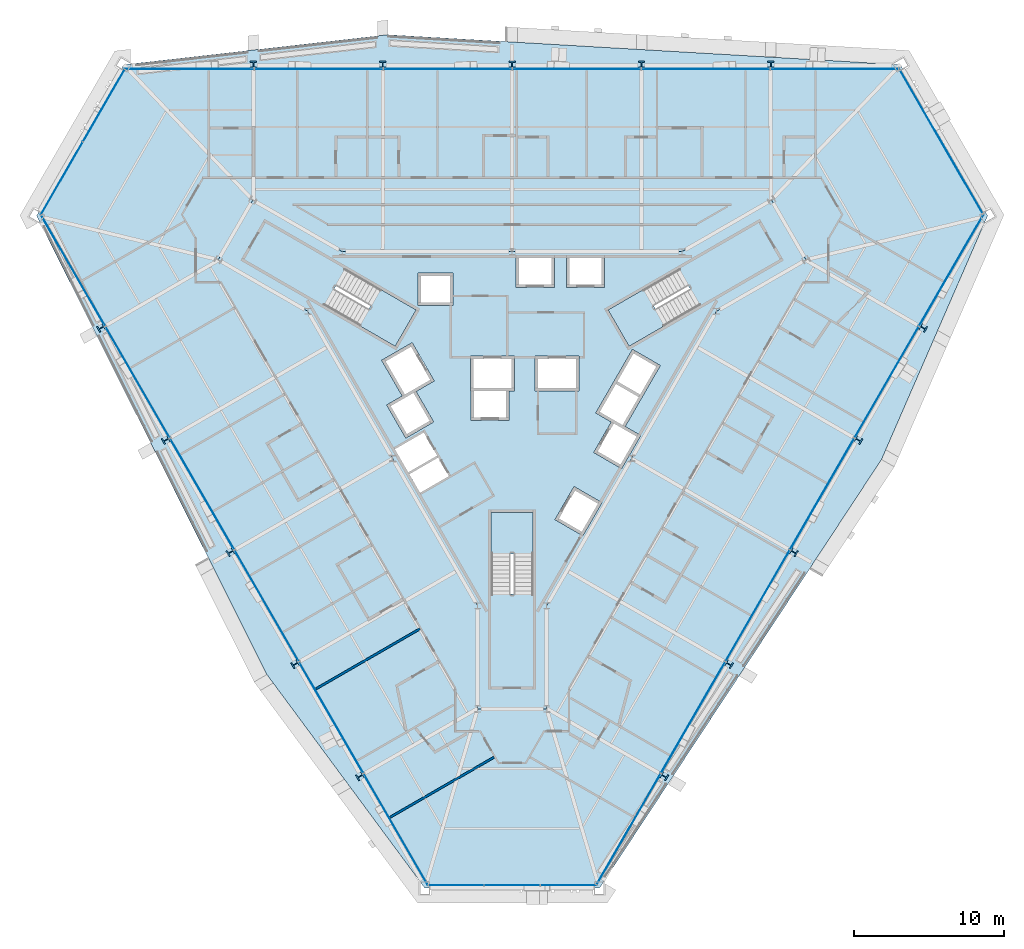
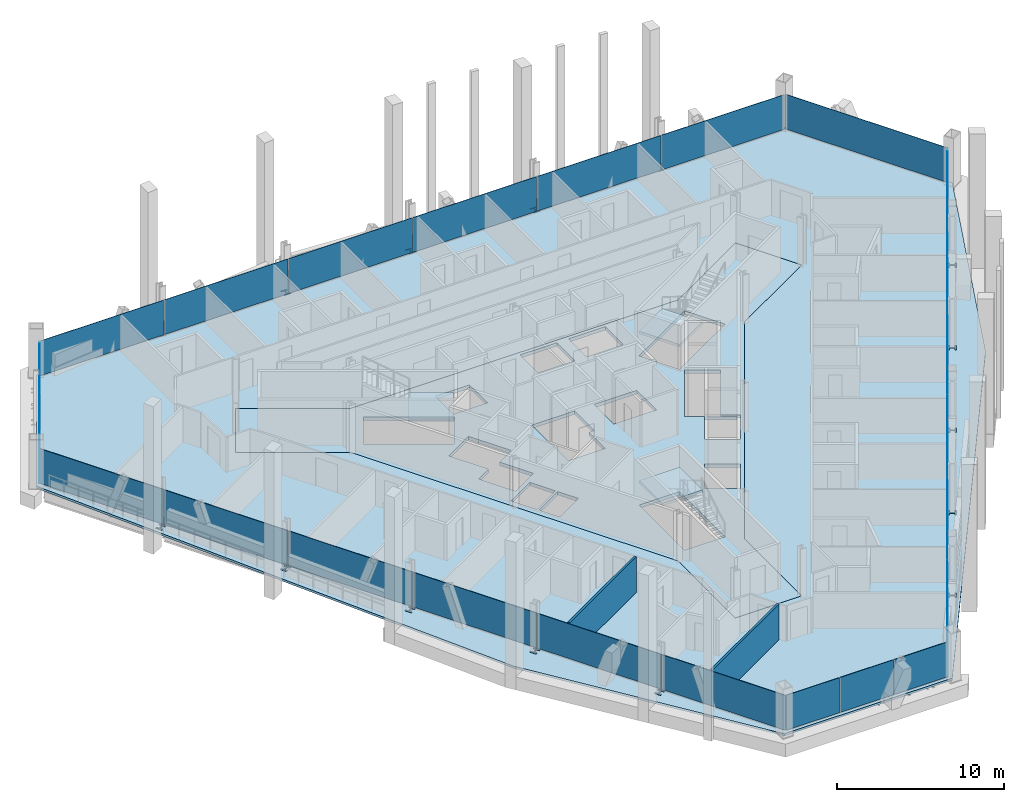
# One storey, part 10 of 19: 24 plates, 15 members, 5 slabs, 2 walls, 9 elements without a shape of their own.
"""IFC4 building model written with IfcOpenShell, lengths in metres."""

from ifc_helpers import new_model, si_unit, direction, frame, frame_2d, origin, origin_2d, place, context, subcontext, project, spatial, polyline, rectangle, i_section, outline, extrude, material, layer, layer_set, material_profile, profile_set, type_object, element, aggregate, save


model = new_model("IFC4")

# Units and contexts
model_context = context("Model", 3, precision=1e-05, world=origin(), true_north=direction((0.0, 1.0)))
body_context = subcontext(model_context, "Body", "Model", "MODEL_VIEW")
ifc_project = project(units=[si_unit("LENGTHUNIT", "METRE"), si_unit("AREAUNIT", "SQUARE_METRE"), si_unit("VOLUMEUNIT", "CUBIC_METRE"), si_unit("PLANEANGLEUNIT", "RADIAN"), si_unit("MASSUNIT", "GRAM", prefix="KILO")], contexts=[model_context])

# Site, building, storey
site_placement = place(None, origin())
site = spatial("IfcSite", under=ifc_project, at=site_placement, CompositionType="ELEMENT")
building_placement = place(site_placement, origin())
building = spatial("IfcBuilding", under=site, at=building_placement, Name="Verrane Prism Tower", CompositionType="ELEMENT")
storey_placement = place(building_placement, frame((0.0, 0.0, 76.39990234375)))
storey = spatial("IfcBuildingStorey", under=building, at=storey_placement, Name="L17", CompositionType="ELEMENT", Elevation=76.39990234375)

# Members
ifc_material_1 = material(Name="Steel A992", Category="steel")
ifc_material_profile = material_profile(ifc_material_1, i_section(OverallWidth=0.431884765625, OverallDepth=0.497802734375, WebThickness=0.0556640625, FlangeThickness=0.0888671875, FilletRadius=0.01513671875, at=origin_2d()), Name="W14x500")
ifc_profile_set = profile_set([ifc_material_profile], Name="Steel A992")
member_type = type_object("IfcMemberType", Name="Kink node W14x500", PredefinedType="COLLAR", material=ifc_profile_set)
for number, where, z_axis, x_axis, name in (
    (1, (17.259521484375, 21.6689453125, -0.02490234375), (0.0, 0.0, 1.0), (1.0, 0.0, 0.0), "Kink node PC3 L17"),
    (2, (8.6298828125, 21.6689453125, -0.02490234375), (0.0, 0.0, 1.0), (1.0, 0.0, 0.0), "Kink node PC3 L17"),
    (3, (0.0, 21.6689453125, -0.02490234375), (0.0, 0.0, 1.0), (1.0, 0.0, 0.0), "Kink node PC3 L17"),
    (4, (-8.6298828125, 21.6689453125, -0.02490234375), (0.0, 0.0, 1.0), (1.0, 0.0, 0.0), "Kink node PC3 L17"),
    (5, (-17.259521484375, 21.6689453125, -0.02490234375), (0.0, 0.0, 1.0), (1.0, 0.0, 0.0), "Kink node PC3 L17"),
    (6, (10.12939453125, -25.7890625, -0.02490234375), (0.0, 0.0, 1.0), (-0.5, -0.866025403784, 0.0), "Kink node PC3 L17"),
    (7, (14.44921875, -18.309326171875, -0.02490234375), (0.0, 0.0, 1.0), (-0.5, -0.866025403784, 0.0), "Kink node PC3 L17"),
    (8, (18.76904296875, -10.839599609375, -0.02490234375), (0.0, 0.0, 1.0), (-0.5, -0.866025403784, 0.0), "Kink node PC3 L17"),
    (9, (23.0791015625, -3.359619140625, -0.02490234375), (0.0, 0.0, 1.0), (-0.5, -0.866025403784, 0.0), "Kink node PC3 L17"),
    (10, (27.39892578125, 4.1201171875, -0.02490234375), (0.0, 0.0, 1.0), (-0.5, -0.866025403784, 0.0), "Kink node PC3 L17"),
    (11, (-27.39892578125, 4.1201171875, -0.02490234375), (0.0, 0.0, 1.0), (-0.5, 0.866025403784, 0.0), "Kink node PC3 L17"),
    (12, (-23.0791015625, -3.359619140625, -0.02490234375), (0.0, 0.0, 1.0), (-0.5, 0.866025403784, 0.0), "Kink node PC3 L17"),
    (13, (-18.76904296875, -10.839599609375, -0.02490234375), (0.0, 0.0, 1.0), (-0.5, 0.866025403784, 0.0), "Kink node PC3 L17"),
    (14, (-14.44921875, -18.309326171875, -0.02490234375), (0.0, 0.0, 1.0), (-0.5, 0.866025403784, 0.0), "Kink node PC3 L17"),
    (15, (-10.12939453125, -25.7890625, -0.02490234375), (0.0, 0.0, 1.0), (-0.5, 0.866025403784, 0.0), "Kink node PC3 L17"),
):
    element("IfcMember", number, at=place(storey_placement, frame(where, z_axis=z_axis, x_axis=x_axis)), inside=storey, type_object=member_type, Name=name, PredefinedType="COLLAR", context=body_context, shape_type="SweptSolid", body=[
        extrude(i_section(OverallWidth=0.431884765625, OverallDepth=0.497802734375, WebThickness=0.0556640625, FlangeThickness=0.0888671875, FilletRadius=0.01513671875, at=origin_2d()), origin(), (0.0, 0.0, 1.0), 0.050048828125),
    ])

# Slabs
ifc_material_2 = material(Name="Concrete C35/45", Category="concrete")
ifc_layer_1 = layer(ifc_material_2, 0.159912109375)
ifc_layer_set_1 = layer_set([ifc_layer_1], Name="Composite floor slab")
slab_type_1 = type_object("IfcSlabType", Name="Composite floor slab", PredefinedType="FLOOR", material=ifc_layer_set_1)
slab_1_placement = place(storey_placement, frame((0.0, 0.0, -0.159912109375)))
element("IfcSlab", 16, at=slab_1_placement, inside=storey, type_object=slab_type_1, Name="Floor slab L17", PredefinedType="FLOOR", context=body_context, shape_type="SweptSolid", body=[
    extrude(outline(polyline([(24.64208984375, -4.65869140625), (5.819091796875, -33.26123046875), (-5.819091796875, -33.26123046875), (-16.35546875, -19.011474609375), (-31.714599609375, 11.59130859375), (-25.8955078125, 21.669921875), (-8.28662109375, 23.669921875), (25.8955078125, 21.669921875), (31.714599609375, 11.59130859375), (24.64208984375, -4.65869140625)]), holes=[polyline([(19.60009765625, 8.659912109375), (17.300048828125, 12.639892578125), (11.330078125, 9.199951171875), (0.0, 9.199951171875), (-11.330078125, 9.199951171875), (-17.300048828125, 12.639892578125), (-19.60009765625, 8.659912109375), (-13.6298828125, 5.219970703125), (-7.969970703125, -4.60009765625), (-2.300048828125, -14.419921875), (-2.300048828125, -21.300048828125), (2.300048828125, -21.300048828125), (2.300048828125, -14.419921875), (7.969970703125, -4.60009765625), (13.6298828125, 5.219970703125), (19.60009765625, 8.659912109375)])]), origin(), (0.0, 0.0, 1.0), 0.159912109375),
])
ifc_material_3 = material(Name="Concrete C40/50", Category="concrete")
ifc_layer_2 = layer(ifc_material_3, 0.25)
ifc_layer_set_2 = layer_set([ifc_layer_2], Name="Core floor slab 250 concrete C40/50")
slab_type_2 = type_object("IfcSlabType", Name="Core floor slab 250 concrete C40/50", PredefinedType="FLOOR", material=ifc_layer_set_2)
slab_2_placement = place(storey_placement, frame((0.0, 0.0, -0.25)))
element("IfcSlab", 17, at=slab_2_placement, inside=storey, type_object=slab_type_2, Name="Core floor L17", PredefinedType="FLOOR", context=body_context, shape_type="SweptSolid", body=[
    extrude(outline(polyline([(13.6298828125, 5.219970703125), (19.60009765625, 8.659912109375), (17.300048828125, 12.639892578125), (11.330078125, 9.199951171875), (0.0, 9.199951171875), (-11.330078125, 9.199951171875), (-17.300048828125, 12.639892578125), (-19.60009765625, 8.659912109375), (-13.6298828125, 5.219970703125), (-7.969970703125, -4.60009765625), (-2.300048828125, -14.419921875), (-2.300048828125, -21.300048828125), (2.300048828125, -21.300048828125), (2.300048828125, -14.419921875), (7.969970703125, -4.60009765625), (13.6298828125, 5.219970703125)]), holes=[polyline([(1.39990234375, -8.199951171875), (1.39990234375, -13.639892578125), (-1.39990234375, -13.639892578125), (-1.39990234375, -8.199951171875), (1.39990234375, -8.199951171875)]), polyline([(-4.215087890625, -5.77099609375), (-6.14208984375, -6.883056640625), (-6.85400390625, -5.64599609375), (-4.928955078125, -4.533935546875), (-4.215087890625, -5.77099609375)]), polyline([(-5.0029296875, -4.404052734375), (-6.929931640625, -5.51708984375), (-7.819091796875, -3.97705078125), (-5.89306640625, -2.864013671875), (-5.0029296875, -4.404052734375)]), polyline([(0.1650390625, 2.25), (0.1650390625, -0.10009765625), (-0.205078125, -0.10009765625), (-0.205078125, -2.050048828125), (-2.7548828125, -2.050048828125), (-2.7548828125, -0.10009765625), (-2.784912109375, -0.10009765625), (-2.784912109375, 2.25), (0.1650390625, 2.25)]), polyline([(-12.512939453125, 5.60791015625), (-11.113037109375, 8.031982421875), (-6.40087890625, 5.31201171875), (-7.801025390625, 2.887939453125), (-12.512939453125, 5.60791015625)]), polyline([(-6.284912109375, 5.610107421875), (-6.284912109375, 7.760009765625), (-3.93505859375, 7.760009765625), (-3.93505859375, 5.610107421875), (-6.284912109375, 5.610107421875)]), polyline([(4.717041015625, -9.75), (2.85498046875, -8.675048828125), (4.1298828125, -6.466064453125), (5.991943359375, -7.541015625), (4.717041015625, -9.75)]), polyline([(8.303955078125, -3.136962890625), (5.575927734375, -1.56201171875), (8.02587890625, 2.680908203125), (9.887939453125, 1.60595703125), (7.5380859375, -2.464111328125), (8.576904296875, -3.06396484375), (7.302001953125, -5.27197265625), (5.43994140625, -4.197021484375), (6.614990234375, -2.162109375), (8.303955078125, -3.136962890625)]), polyline([(1.52490234375, -0.10009765625), (1.52490234375, 2.25), (4.47509765625, 2.25), (4.47509765625, -0.10009765625), (1.52490234375, -0.10009765625)]), polyline([(6.40087890625, 5.31201171875), (11.113037109375, 8.031982421875), (12.512939453125, 5.60791015625), (7.801025390625, 2.887939453125), (6.40087890625, 5.31201171875)]), polyline([(0.264892578125, 6.81005859375), (0.264892578125, 8.9599609375), (2.81494140625, 8.9599609375), (2.81494140625, 6.81005859375), (0.264892578125, 6.81005859375)]), polyline([(3.625, 6.81005859375), (3.625, 8.9599609375), (6.175048828125, 8.9599609375), (6.175048828125, 6.81005859375), (3.625, 6.81005859375)]), polyline([(-5.23095703125, -2.159912109375), (-7.093017578125, -3.235107421875), (-8.367919921875, -1.02587890625), (-7.3291015625, -0.426025390625), (-8.7041015625, 1.955078125), (-6.66796875, 3.1298828125), (-5.193115234375, 0.574951171875), (-6.406005859375, -0.125), (-5.23095703125, -2.159912109375)])]), origin(), (0.0, 0.0, 1.0), 0.25),
])

# Curtain wall, plates
ifc_material_4 = material(Name="Aluminium framed insulated glazing", Category="aluminium")
curtain_wall_type_1 = type_object("IfcCurtainWallType", Name="Curtain wall CW-C 4200 module", PredefinedType="NOTDEFINED", material=ifc_material_4)
curtain_wall_1_placement = place(storey_placement, origin())
curtain_wall_1 = element("IfcCurtainWall", 18, at=curtain_wall_1_placement, inside=storey, type_object=curtain_wall_type_1, Name="Glazed curtain wall south corner L17", PredefinedType="NOTDEFINED")
ifc_material_5 = material(Name="Low-iron insulating glass unit", Category="glass")
ifc_layer_3 = layer(ifc_material_5, 0.02392578125)
ifc_layer_set_3 = layer_set([ifc_layer_3], Name="Glazing panel IGU 24")
plate_type_1 = type_object("IfcPlateType", Name="Glazing panel IGU 24", PredefinedType="CURTAIN_PANEL", material=ifc_layer_set_3)
plate_1_placement = place(storey_placement, frame((-3.72998046875, -33.058349609375, 0.050048828125), z_axis=(0.0, 0.0, 1.0), x_axis=(1.0, 0.0, 0.0)))
plate_1 = element("IfcPlate", 19, at=plate_1_placement, type_object=plate_type_1, Name="CW17.5 panel 1", PredefinedType="CURTAIN_PANEL", context=body_context, shape_type="SweptSolid", body=[
    extrude(rectangle(XDim=3.66748046875, YDim=0.02392578125, at=origin_2d()), origin(), (0.0, 0.0, 1.0), 2.56298828125),
])
plate_2_placement = place(storey_placement, frame((0.0, -33.058349609375, 0.050048828125), z_axis=(0.0, 0.0, 1.0), x_axis=(1.0, 0.0, 0.0)))
plate_2 = element("IfcPlate", 20, at=plate_2_placement, type_object=plate_type_1, Name="CW17.5 panel 2", PredefinedType="CURTAIN_PANEL", context=body_context, shape_type="SweptSolid", body=[
    extrude(rectangle(XDim=3.692626953125, YDim=0.02392578125, at=origin_2d()), origin(), (0.0, 0.0, 1.0), 2.56298828125),
])
plate_3_placement = place(storey_placement, frame((3.755126953125, -33.058349609375, 0.050048828125), z_axis=(0.0, 0.0, 1.0), x_axis=(1.0, 0.0, 0.0)))
plate_3 = element("IfcPlate", 21, at=plate_3_placement, type_object=plate_type_1, Name="CW17.5 panel 3", PredefinedType="CURTAIN_PANEL", context=body_context, shape_type="SweptSolid", body=[
    extrude(rectangle(XDim=3.717529296875, YDim=0.02392578125, at=origin_2d()), origin(), (0.0, 0.0, 1.0), 2.56298828125),
])
aggregate(curtain_wall_1, [plate_1, plate_2, plate_3])

ifc_material_6 = material(Name="Aluminium framed insulated glazing", Category="aluminium")
curtain_wall_type_2 = type_object("IfcCurtainWallType", Name="Curtain wall CW-B 5600 module", PredefinedType="NOTDEFINED", material=ifc_material_6)
curtain_wall_2_placement = place(storey_placement, origin())
curtain_wall_2 = element("IfcCurtainWall", 22, at=curtain_wall_2_placement, inside=storey, type_object=curtain_wall_type_2, Name="Glazed curtain wall north-west corner L17", PredefinedType="NOTDEFINED")
ifc_material_7 = material(Name="Low-iron insulating glass unit", Category="glass")
ifc_layer_4 = layer(ifc_material_7, 0.028076171875)
ifc_layer_set_4 = layer_set([ifc_layer_4], Name="Glazing panel IGU 28")
plate_type_2 = type_object("IfcPlateType", Name="Glazing panel IGU 28", PredefinedType="CURTAIN_PANEL", material=ifc_layer_set_4)
plate_4_placement = place(storey_placement, frame((-27.2333984375, 18.947021484375, 0.06005859375), z_axis=(0.0, 0.0, 1.0), x_axis=(-0.499998458466, -0.866026293788, 0.0)))
plate_4 = element("IfcPlate", 23, at=plate_4_placement, type_object=plate_type_2, Name="CW17.3 panel 1", PredefinedType="CURTAIN_PANEL", context=body_context, shape_type="SweptSolid", body=[
    extrude(rectangle(XDim=5.52392578125, YDim=0.028076171875, at=origin_2d()), origin(), (0.0, 0.0, 1.0), 2.552978515625),
])
plate_5_placement = place(storey_placement, frame((-30.040283203125, 14.085205078125, 0.06005859375), z_axis=(0.0, 0.0, 1.0), x_axis=(-0.499998458466, -0.866026293788, 0.0)))
plate_5 = element("IfcPlate", 24, at=plate_5_placement, type_object=plate_type_2, Name="CW17.3 panel 2", PredefinedType="CURTAIN_PANEL", context=body_context, shape_type="SweptSolid", body=[
    extrude(rectangle(XDim=5.583984375, YDim=0.028076171875, at=origin_2d()), origin(), (0.0, 0.0, 1.0), 2.552978515625),
])
aggregate(curtain_wall_2, [plate_4, plate_5])

# Curtain wall, plate
ifc_material_8 = material(Name="Aluminium framed insulated glazing", Category="aluminium")
curtain_wall_type_3 = type_object("IfcCurtainWallType", Name="Curtain wall CW-A 8400 module", PredefinedType="NOTDEFINED", material=ifc_material_8)
curtain_wall_3_placement = place(storey_placement, origin())
curtain_wall_3 = element("IfcCurtainWall", 25, at=curtain_wall_3_placement, inside=storey, type_object=curtain_wall_type_3, Name="Glazed curtain wall north-east corner L17", PredefinedType="NOTDEFINED")
ifc_material_9 = material(Name="Low-iron insulating glass unit", Category="glass")
ifc_layer_5 = layer(ifc_material_9, 0.031982421875)
ifc_layer_set_5 = layer_set([ifc_layer_5], Name="Glazing panel IGU 32")
plate_type_3 = type_object("IfcPlateType", Name="Glazing panel IGU 32", PredefinedType="CURTAIN_PANEL", material=ifc_layer_set_5)
plate_6_placement = place(storey_placement, frame((28.61181640625, 16.5595703125, 0.070068359375), z_axis=(0.0, 0.0, 1.0), x_axis=(-0.499998458466, 0.866026293788, 0.0)))
plate_6 = element("IfcPlate", 26, at=plate_6_placement, type_object=plate_type_3, Name="CW17.1 panel 1", PredefinedType="CURTAIN_PANEL", context=body_context, shape_type="SweptSolid", body=[
    extrude(rectangle(XDim=11.15771484375, YDim=0.031982421875, at=origin_2d()), origin(), (0.0, 0.0, 1.0), 2.54296875),
])
aggregate(curtain_wall_3, [plate_6])

# Curtain wall, plates
curtain_wall_4_placement = place(storey_placement, origin())
curtain_wall_4 = element("IfcCurtainWall", 27, at=curtain_wall_4_placement, inside=storey, type_object=curtain_wall_type_3, Name="Glazed curtain wall north face L17", PredefinedType="NOTDEFINED")
plate_7_placement = place(storey_placement, frame((21.501220703125, 21.39111328125, 0.070068359375), z_axis=(0.0, 0.0, 1.0), x_axis=(-1.0, 0.0, 0.0)))
plate_7 = element("IfcPlate", 28, at=plate_7_placement, type_object=plate_type_3, Name="CW17.2 panel 1", PredefinedType="CURTAIN_PANEL", context=body_context, shape_type="SweptSolid", body=[
    extrude(rectangle(XDim=8.50244140625, YDim=0.031982421875, at=origin_2d()), origin(), (0.0, 0.0, 1.0), 2.54296875),
])
plate_8_placement = place(storey_placement, frame((12.9111328125, 21.39111328125, 0.070068359375), z_axis=(0.0, 0.0, 1.0), x_axis=(-1.0, 0.0, 0.0)))
plate_8 = element("IfcPlate", 29, at=plate_8_placement, type_object=plate_type_3, Name="CW17.2 panel 2", PredefinedType="CURTAIN_PANEL", context=body_context, shape_type="SweptSolid", body=[
    extrude(rectangle(XDim=8.537353515625, YDim=0.031982421875, at=origin_2d()), origin(), (0.0, 0.0, 1.0), 2.54296875),
])
plate_9_placement = place(storey_placement, frame((4.3037109375, 21.39111328125, 0.070068359375), z_axis=(0.0, 0.0, 1.0), x_axis=(-1.0, 0.0, 0.0)))
plate_9 = element("IfcPlate", 30, at=plate_9_placement, type_object=plate_type_3, Name="CW17.2 panel 3", PredefinedType="CURTAIN_PANEL", context=body_context, shape_type="SweptSolid", body=[
    extrude(rectangle(XDim=8.537353515625, YDim=0.031982421875, at=origin_2d()), origin(), (0.0, 0.0, 1.0), 2.54296875),
])
plate_10_placement = place(storey_placement, frame((-4.3037109375, 21.39111328125, 0.070068359375), z_axis=(0.0, 0.0, 1.0), x_axis=(-1.0, 0.0, 0.0)))
plate_10 = element("IfcPlate", 31, at=plate_10_placement, type_object=plate_type_3, Name="CW17.2 panel 4", PredefinedType="CURTAIN_PANEL", context=body_context, shape_type="SweptSolid", body=[
    extrude(rectangle(XDim=8.537353515625, YDim=0.031982421875, at=origin_2d()), origin(), (0.0, 0.0, 1.0), 2.54296875),
])
plate_11_placement = place(storey_placement, frame((-12.9111328125, 21.39111328125, 0.070068359375), z_axis=(0.0, 0.0, 1.0), x_axis=(-1.0, 0.0, 0.0)))
plate_11 = element("IfcPlate", 32, at=plate_11_placement, type_object=plate_type_3, Name="CW17.2 panel 5", PredefinedType="CURTAIN_PANEL", context=body_context, shape_type="SweptSolid", body=[
    extrude(rectangle(XDim=8.537353515625, YDim=0.031982421875, at=origin_2d()), origin(), (0.0, 0.0, 1.0), 2.54296875),
])
plate_12_placement = place(storey_placement, frame((-21.5361328125, 21.39111328125, 0.070068359375), z_axis=(0.0, 0.0, 1.0), x_axis=(-1.0, 0.0, 0.0)))
plate_12 = element("IfcPlate", 33, at=plate_12_placement, type_object=plate_type_3, Name="CW17.2 panel 6", PredefinedType="CURTAIN_PANEL", context=body_context, shape_type="SweptSolid", body=[
    extrude(rectangle(XDim=8.572509765625, YDim=0.031982421875, at=origin_2d()), origin(), (0.0, 0.0, 1.0), 2.54296875),
])
aggregate(curtain_wall_4, [plate_7, plate_8, plate_9, plate_10, plate_11, plate_12])

curtain_wall_5_placement = place(storey_placement, origin())
curtain_wall_5 = element("IfcCurtainWall", 34, at=curtain_wall_5_placement, inside=storey, type_object=curtain_wall_type_3, Name="Glazed curtain wall south-west face L17", PredefinedType="NOTDEFINED")
plate_13_placement = place(storey_placement, frame((-29.275634765625, 7.925048828125, 0.070068359375), z_axis=(0.0, 0.0, 1.0), x_axis=(0.499999235121, -0.866025845387, 0.0)))
plate_13 = element("IfcPlate", 35, at=plate_13_placement, type_object=plate_type_3, Name="CW17.4 panel 1", PredefinedType="CURTAIN_PANEL", context=body_context, shape_type="SweptSolid", body=[
    extrude(rectangle(XDim=8.50244140625, YDim=0.031982421875, at=origin_2d()), origin(), (0.0, 0.0, 1.0), 2.54296875),
])
plate_14_placement = place(storey_placement, frame((-24.980712890625, 0.48583984375, 0.070068359375), z_axis=(0.0, 0.0, 1.0), x_axis=(0.499999235121, -0.866025845387, 0.0)))
plate_14 = element("IfcPlate", 36, at=plate_14_placement, type_object=plate_type_3, Name="CW17.4 panel 2", PredefinedType="CURTAIN_PANEL", context=body_context, shape_type="SweptSolid", body=[
    extrude(rectangle(XDim=8.53759765625, YDim=0.031982421875, at=origin_2d()), origin(), (0.0, 0.0, 1.0), 2.54296875),
])
plate_15_placement = place(storey_placement, frame((-20.677001953125, -6.96826171875, 0.070068359375), z_axis=(0.0, 0.0, 1.0), x_axis=(0.499999235121, -0.866025845387, 0.0)))
plate_15 = element("IfcPlate", 37, at=plate_15_placement, type_object=plate_type_3, Name="CW17.4 panel 3", PredefinedType="CURTAIN_PANEL", context=body_context, shape_type="SweptSolid", body=[
    extrude(rectangle(XDim=8.53759765625, YDim=0.031982421875, at=origin_2d()), origin(), (0.0, 0.0, 1.0), 2.54296875),
])
plate_16_placement = place(storey_placement, frame((-16.373291015625, -14.422607421875, 0.070068359375), z_axis=(0.0, 0.0, 1.0), x_axis=(0.499999235121, -0.866025845387, 0.0)))
plate_16 = element("IfcPlate", 38, at=plate_16_placement, type_object=plate_type_3, Name="CW17.4 panel 4", PredefinedType="CURTAIN_PANEL", context=body_context, shape_type="SweptSolid", body=[
    extrude(rectangle(XDim=8.53759765625, YDim=0.031982421875, at=origin_2d()), origin(), (0.0, 0.0, 1.0), 2.54296875),
])
plate_17_placement = place(storey_placement, frame((-12.069580078125, -21.876953125, 0.070068359375), z_axis=(0.0, 0.0, 1.0), x_axis=(0.499999235121, -0.866025845387, 0.0)))
plate_17 = element("IfcPlate", 39, at=plate_17_placement, type_object=plate_type_3, Name="CW17.4 panel 5", PredefinedType="CURTAIN_PANEL", context=body_context, shape_type="SweptSolid", body=[
    extrude(rectangle(XDim=8.53759765625, YDim=0.031982421875, at=origin_2d()), origin(), (0.0, 0.0, 1.0), 2.54296875),
])
plate_18_placement = place(storey_placement, frame((-7.757080078125, -29.346435546875, 0.070068359375), z_axis=(0.0, 0.0, 1.0), x_axis=(0.499999235121, -0.866025845387, 0.0)))
plate_18 = element("IfcPlate", 40, at=plate_18_placement, type_object=plate_type_3, Name="CW17.4 panel 6", PredefinedType="CURTAIN_PANEL", context=body_context, shape_type="SweptSolid", body=[
    extrude(rectangle(XDim=8.572509765625, YDim=0.031982421875, at=origin_2d()), origin(), (0.0, 0.0, 1.0), 2.54296875),
])
aggregate(curtain_wall_5, [plate_13, plate_14, plate_15, plate_16, plate_17, plate_18])

curtain_wall_6_placement = place(storey_placement, origin())
curtain_wall_6 = element("IfcCurtainWall", 41, at=curtain_wall_6_placement, inside=storey, type_object=curtain_wall_type_3, Name="Glazed curtain wall south-east face L17", PredefinedType="NOTDEFINED")
plate_19_placement = place(storey_placement, frame((7.7744140625, -29.316162109375, 0.070068359375), z_axis=(0.0, 0.0, 1.0), x_axis=(0.499999235121, 0.866025845387, 0.0)))
plate_19 = element("IfcPlate", 42, at=plate_19_placement, type_object=plate_type_3, Name="CW17.6 panel 1", PredefinedType="CURTAIN_PANEL", context=body_context, shape_type="SweptSolid", body=[
    extrude(rectangle(XDim=8.50244140625, YDim=0.031982421875, at=origin_2d()), origin(), (0.0, 0.0, 1.0), 2.54296875),
])
plate_20_placement = place(storey_placement, frame((12.069580078125, -21.876953125, 0.070068359375), z_axis=(0.0, 0.0, 1.0), x_axis=(0.499999235121, 0.866025845387, 0.0)))
plate_20 = element("IfcPlate", 43, at=plate_20_placement, type_object=plate_type_3, Name="CW17.6 panel 2", PredefinedType="CURTAIN_PANEL", context=body_context, shape_type="SweptSolid", body=[
    extrude(rectangle(XDim=8.53759765625, YDim=0.031982421875, at=origin_2d()), origin(), (0.0, 0.0, 1.0), 2.54296875),
])
plate_21_placement = place(storey_placement, frame((16.373291015625, -14.422607421875, 0.070068359375), z_axis=(0.0, 0.0, 1.0), x_axis=(0.499999235121, 0.866025845387, 0.0)))
plate_21 = element("IfcPlate", 44, at=plate_21_placement, type_object=plate_type_3, Name="CW17.6 panel 3", PredefinedType="CURTAIN_PANEL", context=body_context, shape_type="SweptSolid", body=[
    extrude(rectangle(XDim=8.53759765625, YDim=0.031982421875, at=origin_2d()), origin(), (0.0, 0.0, 1.0), 2.54296875),
])
plate_22_placement = place(storey_placement, frame((20.677001953125, -6.96826171875, 0.070068359375), z_axis=(0.0, 0.0, 1.0), x_axis=(0.499999235121, 0.866025845387, 0.0)))
plate_22 = element("IfcPlate", 45, at=plate_22_placement, type_object=plate_type_3, Name="CW17.6 panel 4", PredefinedType="CURTAIN_PANEL", context=body_context, shape_type="SweptSolid", body=[
    extrude(rectangle(XDim=8.53759765625, YDim=0.031982421875, at=origin_2d()), origin(), (0.0, 0.0, 1.0), 2.54296875),
])
plate_23_placement = place(storey_placement, frame((24.980712890625, 0.48583984375, 0.070068359375), z_axis=(0.0, 0.0, 1.0), x_axis=(0.499999235121, 0.866025845387, 0.0)))
plate_23 = element("IfcPlate", 46, at=plate_23_placement, type_object=plate_type_3, Name="CW17.6 panel 5", PredefinedType="CURTAIN_PANEL", context=body_context, shape_type="SweptSolid", body=[
    extrude(rectangle(XDim=8.53759765625, YDim=0.031982421875, at=origin_2d()), origin(), (0.0, 0.0, 1.0), 2.54296875),
])
plate_24_placement = place(storey_placement, frame((29.293212890625, 7.955322265625, 0.070068359375), z_axis=(0.0, 0.0, 1.0), x_axis=(0.499999235121, 0.866025845387, 0.0)))
plate_24 = element("IfcPlate", 47, at=plate_24_placement, type_object=plate_type_3, Name="CW17.6 panel 6", PredefinedType="CURTAIN_PANEL", context=body_context, shape_type="SweptSolid", body=[
    extrude(rectangle(XDim=8.572509765625, YDim=0.031982421875, at=origin_2d()), origin(), (0.0, 0.0, 1.0), 2.54296875),
])
aggregate(curtain_wall_6, [plate_19, plate_20, plate_21, plate_22, plate_23, plate_24])

# Stair, slab
ifc_material_10 = material(Name="Concrete C40/50", Category="concrete")
stair_type = type_object("IfcStairType", Name="Exit stair 1300 dog-leg precast concrete C40/50", PredefinedType="HALF_TURN_STAIR", material=ifc_material_10)
stair_1_placement = place(storey_placement, origin())
stair_1 = element("IfcStair", 48, at=stair_1_placement, inside=storey, type_object=stair_type, Name="Stair 1 L17", PredefinedType="HALF_TURN_STAIR")
ifc_material_11 = material(Name="Concrete C40/50", Category="concrete")
ifc_layer_6 = layer(ifc_material_11, 0.199951171875)
ifc_layer_set_6 = layer_set([ifc_layer_6], Name="Stair landing 200 precast concrete C40/50")
slab_type_3 = type_object("IfcSlabType", Name="Stair landing 200 precast concrete C40/50", PredefinedType="LANDING", material=ifc_layer_set_6)
slab_3_placement = place(storey_placement, frame((0.0, 0.0, 1.60009765625)))
slab_3 = element("IfcSlab", 49, at=slab_3_placement, type_object=slab_type_3, Name="Stair 1 landing 1", PredefinedType="LANDING", context=body_context, shape_type="SweptSolid", body=[
    extrude(outline(polyline([(8.791748046875, 6.6923828125), (6.4013671875, 5.3125), (7.801513671875, 2.887451171875), (10.191650390625, 4.267578125), (8.791748046875, 6.6923828125)])), origin(), (0.0, 0.0, 1.0), 0.199951171875),
])
aggregate(stair_1, [slab_3])

stair_2_placement = place(storey_placement, origin())
stair_2 = element("IfcStair", 50, at=stair_2_placement, inside=storey, type_object=stair_type, Name="Stair 2 L17", PredefinedType="HALF_TURN_STAIR")
slab_4_placement = place(storey_placement, frame((0.0, 0.0, 1.60009765625)))
slab_4 = element("IfcSlab", 51, at=slab_4_placement, type_object=slab_type_3, Name="Stair 2 landing 1", PredefinedType="LANDING", context=body_context, shape_type="SweptSolid", body=[
    extrude(outline(polyline([(-10.191650390625, 4.267578125), (-7.801513671875, 2.887451171875), (-6.4013671875, 5.3125), (-8.791748046875, 6.6923828125), (-10.191650390625, 4.267578125)])), origin(), (0.0, 0.0, 1.0), 0.199951171875),
])
aggregate(stair_2, [slab_4])

stair_3_placement = place(storey_placement, origin())
stair_3 = element("IfcStair", 52, at=stair_3_placement, inside=storey, type_object=stair_type, Name="Stair 3 L17", PredefinedType="HALF_TURN_STAIR")
slab_5_placement = place(storey_placement, frame((0.0, 0.0, 1.60009765625)))
slab_5 = element("IfcSlab", 53, at=slab_5_placement, type_object=slab_type_3, Name="Stair 3 landing 1", PredefinedType="LANDING", context=body_context, shape_type="SweptSolid", body=[
    extrude(outline(polyline([(1.39990234375, -10.9599609375), (1.39990234375, -8.199951171875), (-1.39990234375, -8.199951171875), (-1.39990234375, -10.9599609375), (1.39990234375, -10.9599609375)])), origin(), (0.0, 0.0, 1.0), 0.199951171875),
])
aggregate(stair_3, [slab_5])

# Walls
ifc_material_12 = material(Name="Gypsum board partition", Category="other")
ifc_layer_7 = layer(ifc_material_12, 0.14990234375)
ifc_layer_set_7 = layer_set([ifc_layer_7], Name="PW-150 demising wall 1 h")
wall_type = type_object("IfcWallType", Name="PW-150 demising wall 1 h", PredefinedType="PARTITIONING", material=ifc_layer_set_7)
for number, where, z_axis, x_axis, name in (
    (54, (-13.069091796875, -19.953125, 0.0), (0.0, 0.0, 1.0), (0.866021771655, 0.500006290979, 0.0), "Demising wall 023"),
    (55, (-8.1240234375, -28.51806640625, 0.0), (0.0, 0.0, 1.0), (0.866021771655, 0.500006290979, 0.0), "Demising wall 034"),
):
    element("IfcWall", number, at=place(storey_placement, frame(where, z_axis=z_axis, x_axis=x_axis)), inside=storey, type_object=wall_type, Name=name, PredefinedType="PARTITIONING", context=body_context, shape_type="SweptSolid", body=[
        extrude(rectangle(XDim=7.99169921875, YDim=0.14990234375, at=frame_2d((3.995849609375, 0.0))), origin(), (0.0, 0.0, 1.0), 2.613037109375),
    ])

save(model, "model.ifc")
